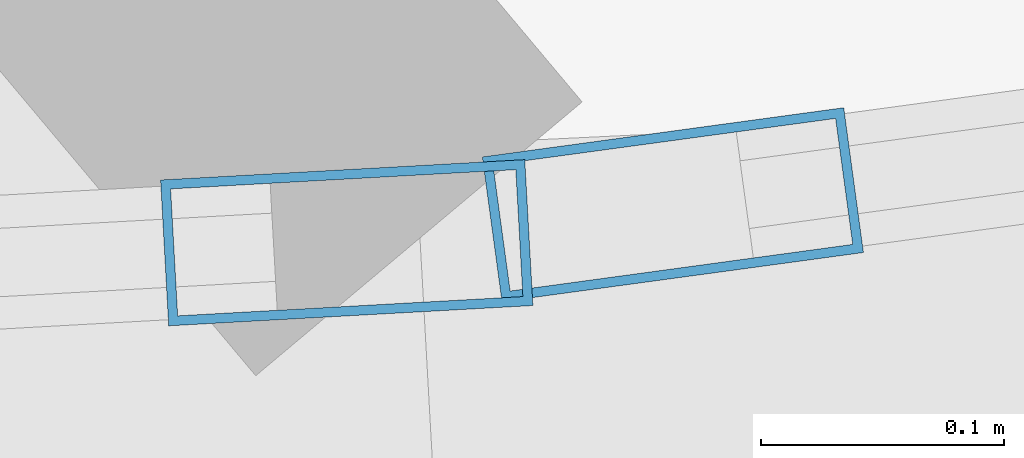
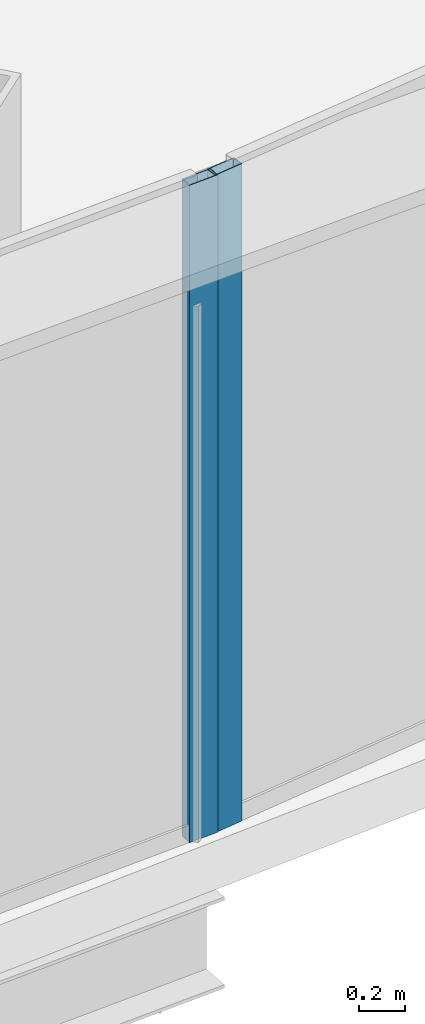
# One storey, part 14 of 36: 2 members, 2 elements without a shape of their own.
"""IFC4 building model written with IfcOpenShell, lengths in metres."""

from ifc_helpers import new_model, si_unit, direction, frame, origin, origin_2d, place, context, subcontext, project, spatial, hollow_rectangle, extrude, source, transform, mapped, material, layer, layer_set, material_profile, profile_set, type_object, element, aggregate, save


model = new_model("IFC4")

# Units and contexts
model_context = context("Model", 3, precision=1e-05, world=origin(), true_north=direction((0.0, 1.0)))
body_context = subcontext(model_context, "Body", "Model", "MODEL_VIEW")
ifc_project = project(units=[si_unit("LENGTHUNIT", "METRE"), si_unit("AREAUNIT", "SQUARE_METRE"), si_unit("VOLUMEUNIT", "CUBIC_METRE"), si_unit("PLANEANGLEUNIT", "RADIAN"), si_unit("MASSUNIT", "GRAM", prefix="KILO"), si_unit("THERMODYNAMICTEMPERATUREUNIT", "KELVIN"), si_unit("POWERUNIT", "WATT")], contexts=[model_context])

# Site, building, storey
site_placement = place(None, origin())
site = spatial("IfcSite", under=ifc_project, at=site_placement, CompositionType="ELEMENT")
building_placement = place(site_placement, origin())
building = spatial("IfcBuilding", under=site, at=building_placement, Name="Yunzhuo Pagoda Commons", CompositionType="ELEMENT")
storey_placement = place(building_placement, frame((0.0, 0.0, 215.159912109375)))
storey = spatial("IfcBuildingStorey", under=building, at=storey_placement, Name="L54", CompositionType="ELEMENT", Elevation=215.159912109375)

# Curtain wall, member
ifc_material = material(Name="Anodized aluminium 6063-T6", Category="aluminium")
ifc_layer = layer(ifc_material, 0.14990234375)
ifc_layer_set = layer_set([ifc_layer], Name="Anodized aluminium 6063-T6")
curtain_wall_type = type_object("IfcCurtainWallType", Name="CW-MID Mid-Zone Ribbon Curtain Wall", PredefinedType="NOTDEFINED", material=ifc_layer_set)
curtain_wall_1_placement = place(storey_placement, origin())
curtain_wall_1 = element("IfcCurtainWall", 1, at=curtain_wall_1_placement, inside=storey, type_object=curtain_wall_type, Name="L54 curtain wall CW-L54-F1B4", PredefinedType="NOTDEFINED")
ifc_material_profile = material_profile(ifc_material, hollow_rectangle(XDim=0.06005859375, YDim=0.14990234375, WallThickness=0.00390625, at=origin_2d()), Name="Anodized aluminium 6063-T6")
ifc_profile_set = profile_set([ifc_material_profile], Name="Anodized aluminium 6063-T6")
member_type = type_object("IfcMemberType", Name="CW-MID-M Mullion RHS 150x60x4", PredefinedType="MULLION", material=ifc_profile_set)
shared_shape = source(origin(), body_context, "Body", "SweptSolid", [
    extrude(hollow_rectangle(XDim=0.06005859375, YDim=0.14990234375, WallThickness=0.00390625, at=origin_2d()), origin(), (0.0, 0.0, 1.0), 3.52001953125),
])
member_1_placement = place(storey_placement, frame((63.379150390625, 15.334716796875, 0.0), z_axis=(0.0, 0.0, 1.0), x_axis=(-0.055641789149, 0.998450795633, 0.0)))
member_1 = element("IfcMember", 2, at=member_1_placement, type_object=member_type, Name="CW mullion 2", PredefinedType="MULLION", context=body_context, shape_type="MappedRepresentation", body=[
    mapped(shared_shape, transform((0.0, 0.0, 0.0), scale=1.0)),
])
aggregate(curtain_wall_1, [member_1])

curtain_wall_2_placement = place(storey_placement, origin())
curtain_wall_2 = element("IfcCurtainWall", 3, at=curtain_wall_2_placement, inside=storey, type_object=curtain_wall_type, Name="L54 curtain wall CW-L54-F1B5", PredefinedType="NOTDEFINED")
member_2_placement = place(storey_placement, frame((63.51318359375, 15.350341796875, 0.0), z_axis=(0.0, 0.0, 1.0), x_axis=(-0.134839446061, 0.990867460252, 0.0)))
member_2 = element("IfcMember", 4, at=member_2_placement, type_object=member_type, Name="CW mullion 1", PredefinedType="MULLION", context=body_context, shape_type="MappedRepresentation", body=[
    mapped(shared_shape, transform((0.0, 0.0, 0.0), scale=1.0)),
])
aggregate(curtain_wall_2, [member_2])

save(model, "model.ifc")
